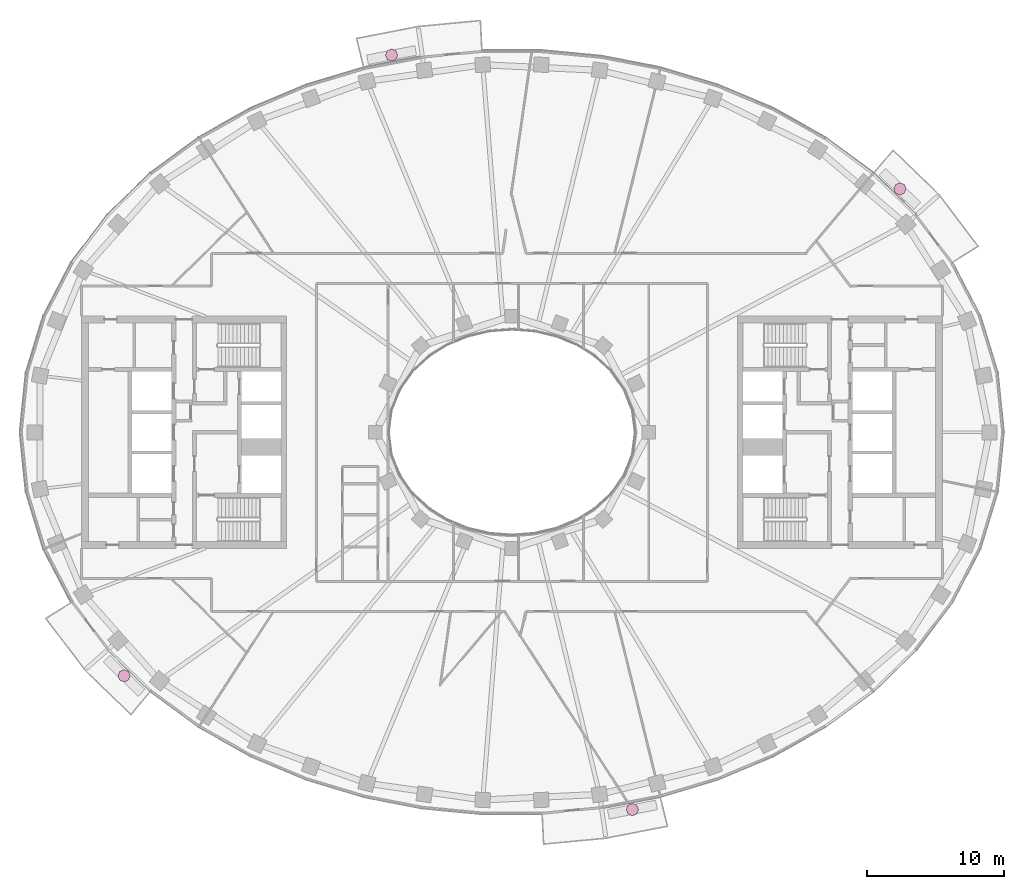
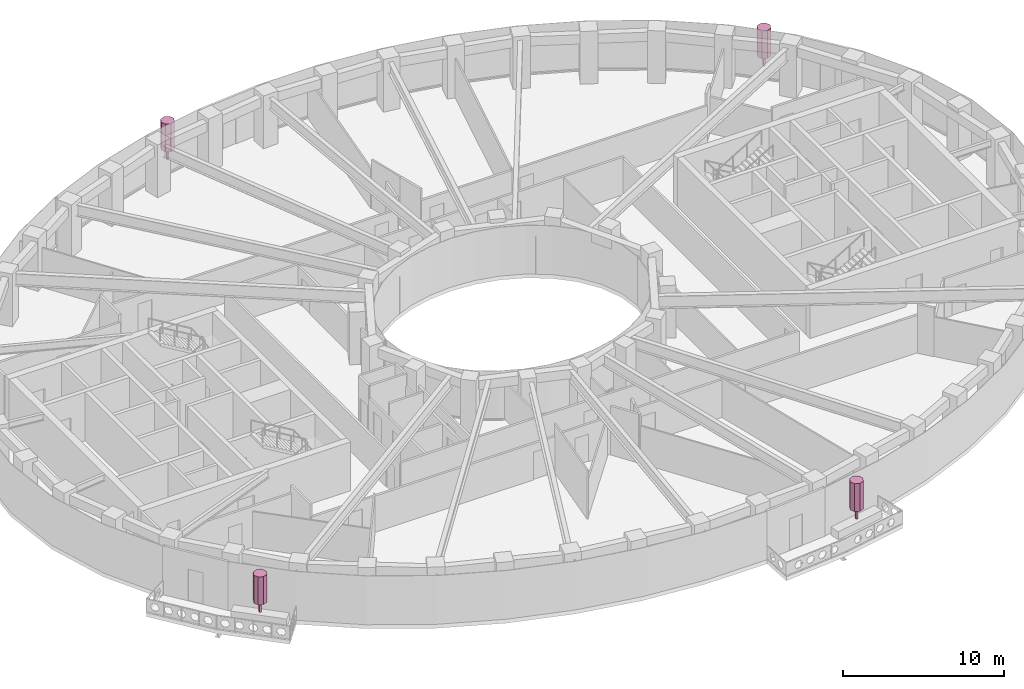
# One storey, part 16 of 16: 4 furnishings.
"""IFC4 building model written with IfcOpenShell, lengths in metres."""

from ifc_helpers import new_model, si_unit, direction, frame, origin, origin_2d, place, context, subcontext, project, spatial, polyline, rectangle, outline, extrude, material, type_object, element, save


model = new_model("IFC4")

# Units and contexts
model_context = context("Model", 3, precision=1e-05, world=origin(), true_north=direction((0.0, 1.0)))
body_context = subcontext(model_context, "Body", "Model", "MODEL_VIEW")
ifc_project = project(units=[si_unit("LENGTHUNIT", "METRE"), si_unit("AREAUNIT", "SQUARE_METRE"), si_unit("VOLUMEUNIT", "CUBIC_METRE"), si_unit("PLANEANGLEUNIT", "RADIAN"), si_unit("MASSUNIT", "GRAM", prefix="KILO")], contexts=[model_context])

# Site, building, storey
site_placement = place(None, origin())
site = spatial("IfcSite", under=ifc_project, at=site_placement, CompositionType="ELEMENT")
building_placement = place(site_placement, origin())
building = spatial("IfcBuilding", under=site, at=building_placement, Name="Noorbagh Ring Tower", CompositionType="ELEMENT")
storey_placement = place(building_placement, frame((0.0, 0.0, 257.5)))
storey = spatial("IfcBuildingStorey", under=building, at=storey_placement, Name="L54", CompositionType="ELEMENT", Elevation=257.5)

# Furnishings
ifc_material = material(Name="Planting foliage green")
furnishing_element_type = type_object("IfcFurnishingElementType", Name="ENV-TREE", material=ifc_material)
for number, where, z_axis, x_axis, name in (
    (1, (28.3837890625, 17.814208984375, 0.60009765625), (0.0, 0.0, 1.0), (1.0, 0.0, 0.0), "Tree BN01"),
    (2, (-8.807861328125, 27.603515625, 0.60009765625), (0.0, 0.0, 1.0), (1.0, 0.0, 0.0), "Tree BN04"),
    (3, (-28.3837890625, -17.814208984375, 0.60009765625), (0.0, 0.0, 1.0), (1.0, 0.0, 0.0), "Tree BS01"),
    (4, (8.807861328125, -27.603515625, 0.60009765625), (0.0, 0.0, 1.0), (1.0, 0.0, 0.0), "Tree BS04"),
):
    element("IfcFurnishingElement", number, at=place(storey_placement, frame(where, z_axis=z_axis, x_axis=x_axis)), inside=storey, type_object=furnishing_element_type, Name=name, context=body_context, shape_type="SweptSolid", body=[
        extrude(rectangle(XDim=0.1201171875, YDim=0.1201171875, at=origin_2d()), origin(), (0.0, 0.0, 1.0), 0.825927734375),
        extrude(outline(polyline([(0.449951171875, 0.0), (0.318115234375, 0.318115234375), (0.0, 0.449951171875), (-0.318115234375, 0.318115234375), (-0.449951171875, 0.0), (-0.318115234375, -0.318115234375), (0.0, -0.449951171875), (0.318115234375, -0.318115234375), (0.449951171875, 0.0)])), frame((0.0, 0.0, 0.825927734375)), (0.0, 0.0, 1.0), 2.1240234375),
    ])

save(model, "model.ifc")
